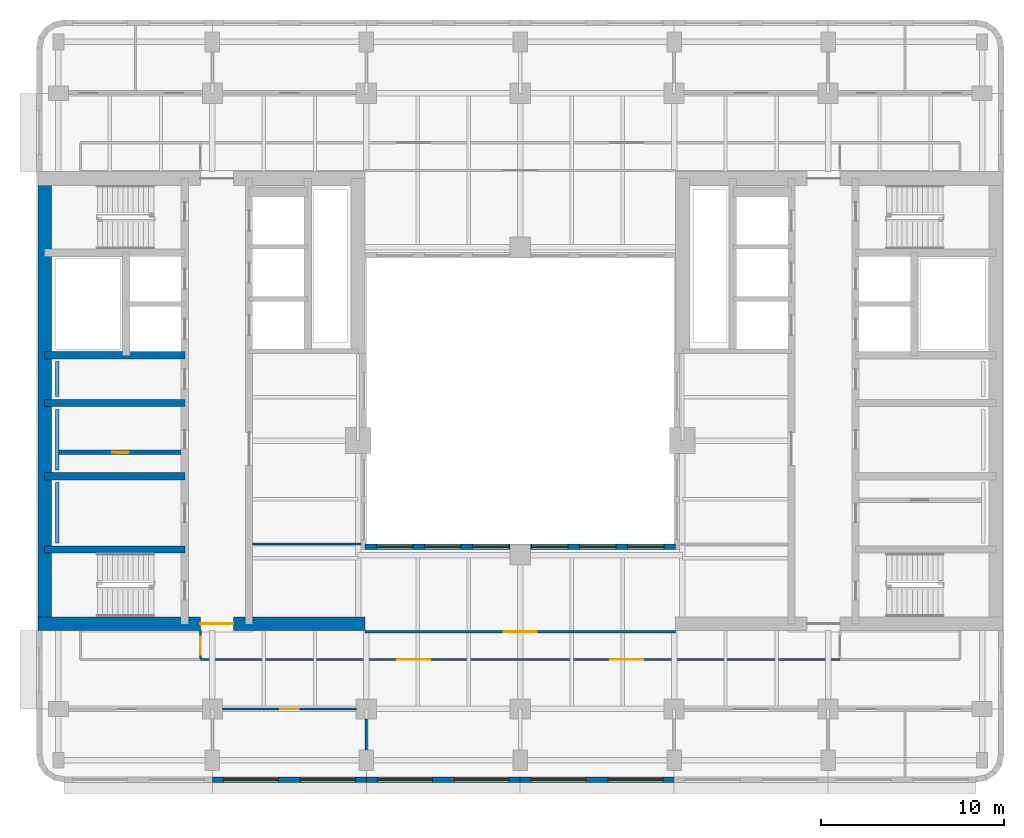
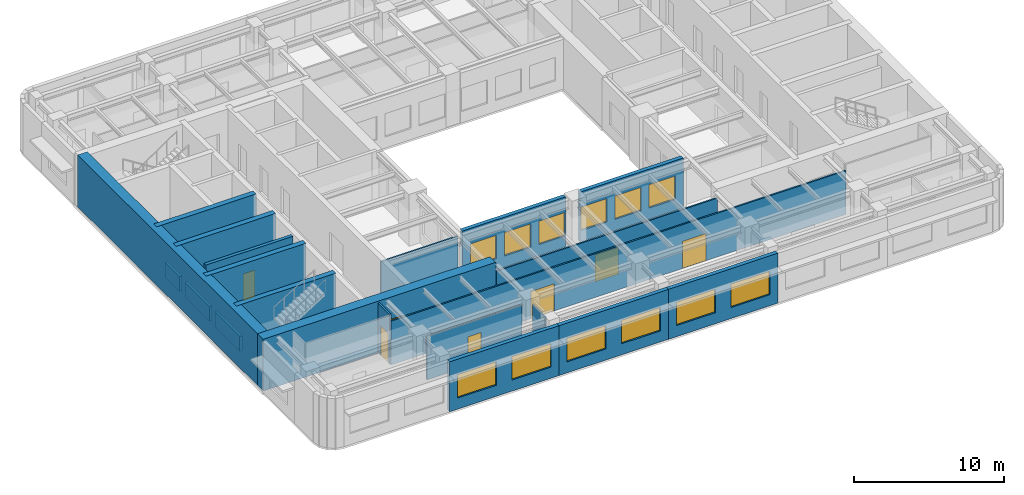
# One storey, part 3 of 11: 21 walls, 12 windows, 7 doors, 19 openings.
"""IFC4 building model written with IfcOpenShell, lengths in metres."""

import ifcopenshell
import ifcopenshell.guid

model = None  # the IFC model being written
_history = None  # IfcOwnerHistory: only IFC2X3 demands one
_inside = {}  # id of a spatial element -> (the spatial element, [elements in it])
_under = {}  # id of a project, library or spatial element -> (it, [spatial elements below it])
_declared = {}  # id of a project -> (the project, [libraries it declares])
_typed = {}  # id of a type object -> (the type object, [elements of that type])
_made_of = {}  # id of a material, layer set ... -> (it, [elements and type objects made of it])


def new_model(schema):
    """Start an empty IFC model of exactly this schema.

    Asked for "IFC4X3", IfcOpenShell would pick the latest addendum, in which some entities
    have other attributes; the version numbers below select the first issue.
    IFC2X3 requires an IfcOwnerHistory on every rooted entity: one is made here for all.
    """
    global model, _history
    if schema == "IFC4X3":
        model = ifcopenshell.file(schema_version=(4, 3, 0, 0))
    else:
        model = ifcopenshell.file(schema=schema)
    _inside.clear()
    _under.clear()
    _declared.clear()
    _typed.clear()
    _made_of.clear()
    _history = None
    if model.schema == "IFC2X3":
        org = make("IfcOrganization", Name="unknown")
        user = make(
            "IfcPersonAndOrganization",
            ThePerson=make("IfcPerson", FamilyName="unknown"),
            TheOrganization=org,
        )
        app = make(
            "IfcApplication",
            ApplicationDeveloper=org,
            Version="unknown",
            ApplicationFullName="unknown",
            ApplicationIdentifier="unknown",
        )
        _history = make(
            "IfcOwnerHistory",
            OwningUser=user,
            OwningApplication=app,
            ChangeAction="ADDED",
            CreationDate=0,
        )
    return model


def make(cls, **values):
    """One entity of the class cls with the attributes given. An attribute that is None is left unset."""
    return model.create_entity(
        cls, **{name: value for name, value in values.items() if value is not None}
    )


def rooted(cls, **values):
    """An entity with a GlobalId (a new one), such as an element, a storey or a relation."""
    return make(cls, GlobalId=ifcopenshell.guid.new(), OwnerHistory=_history, **values)


def si_unit(unit_type, name, prefix=None):
    """IfcSIUnit, for example si_unit("LENGTHUNIT", "METRE", prefix="MILLI")."""
    return make("IfcSIUnit", UnitType=unit_type, Prefix=prefix, Name=name)


def assignment(units):
    """IfcUnitAssignment: the units of a project."""
    return None if units is None else make("IfcUnitAssignment", Units=units)


def point(xyz):
    """IfcCartesianPoint."""
    return None if xyz is None else make("IfcCartesianPoint", Coordinates=xyz)


def direction(xyz):
    """IfcDirection."""
    return None if xyz is None else make("IfcDirection", DirectionRatios=xyz)


def frame(location, z_axis=None, x_axis=None):
    """IfcAxis2Placement3D, a coordinate frame: its origin and axes. An axis left out is left unset."""
    return make(
        "IfcAxis2Placement3D",
        Location=point(location),
        Axis=direction(z_axis),
        RefDirection=direction(x_axis),
    )


def frame_2d(location, x_axis=None):
    """IfcAxis2Placement2D, a coordinate frame in the plane: its origin and x axis."""
    return make(
        "IfcAxis2Placement2D", Location=point(location), RefDirection=direction(x_axis)
    )


def origin():
    """The frame at (0, 0, 0) with its axes left unset."""
    return frame((0.0, 0.0, 0.0))


def place(relative_to, where):
    """IfcLocalPlacement: puts the frame where relative to a parent placement (None: the world)."""
    return make(
        "IfcLocalPlacement", PlacementRelTo=relative_to, RelativePlacement=where
    )


def context(
    kind, dimensions, precision=None, world=None, true_north=None, identifier=None
):
    """IfcGeometricRepresentationContext, for example the 3D "Model" context."""
    return make(
        "IfcGeometricRepresentationContext",
        ContextIdentifier=identifier,
        ContextType=kind,
        CoordinateSpaceDimension=dimensions,
        Precision=precision,
        WorldCoordinateSystem=world,
        TrueNorth=true_north,
    )


def subcontext(parent, identifier, kind, view, scale=None):
    """IfcGeometricRepresentationSubContext, for example "Body" below "Model"."""
    return make(
        "IfcGeometricRepresentationSubContext",
        ContextIdentifier=identifier,
        ContextType=kind,
        ParentContext=parent,
        TargetScale=scale,
        TargetView=view,
    )


def project(units=None, contexts=None):
    """IfcProject with its units and contexts."""
    return rooted(
        "IfcProject",
        Name="project",
        RepresentationContexts=contexts,
        UnitsInContext=assignment(units),
    )


def spatial(cls, under=None, at=None, **own):
    """A site, building, storey or space (cls), placed at a placement, below another one or the project."""
    s = rooted(cls, ObjectPlacement=at, **own)
    if under is not None:
        _under.setdefault(under.id(), (under, []))[1].append(s)
    return s


def profile(cls, at=None, kind="AREA", **sizes):
    """A parametric profile (cls). Its sizes go by their IFC names, for example OverallWidth=200.0."""
    return make(cls, ProfileType=kind, Position=at, **sizes)


def rectangle(**sizes):
    """IfcRectangleProfileDef."""
    return profile("IfcRectangleProfileDef", **sizes)


def extrude(swept, where, along, depth):
    """IfcExtrudedAreaSolid: the profile swept, set in the frame where, extruded along a direction by depth."""
    return make(
        "IfcExtrudedAreaSolid",
        SweptArea=swept,
        Position=where,
        ExtrudedDirection=direction(along),
        Depth=depth,
    )


def shape(context_of_items, identifier, shape_type, items):
    """IfcShapeRepresentation: the items that make up one representation, for example the "Body"."""
    return make(
        "IfcShapeRepresentation",
        ContextOfItems=context_of_items,
        RepresentationIdentifier=identifier,
        RepresentationType=shape_type,
        Items=items,
    )


def material(Name=None, Category=None):
    """IfcMaterial."""
    return make("IfcMaterial", Name=Name, Category=Category)


def layer(
    of_material, thickness, ventilated=None, Name=None, Category=None, Priority=None
):
    """IfcMaterialLayer: one layer of a wall or slab, of a material (None: an air gap)."""
    return make(
        "IfcMaterialLayer",
        Material=of_material,
        LayerThickness=thickness,
        IsVentilated=ventilated,
        Name=Name,
        Category=Category,
        Priority=Priority,
    )


def layer_set(layers, Name=None):
    """IfcMaterialLayerSet."""
    return make("IfcMaterialLayerSet", MaterialLayers=layers, LayerSetName=Name)


def made_of(thing, what):
    """Note that an element or type object is made of a material, layer set ...; save() writes the relation."""
    if what is not None:
        _made_of.setdefault(what.id(), (what, []))[1].append(thing)
    return thing


def type_object(cls, material=None, **own):
    """A type object (cls), such as IfcWallType, which elements share."""
    return made_of(rooted(cls, **own), material)


def element(
    cls,
    number,
    at=None,
    inside=None,
    cuts=None,
    type_object=None,
    material=None,
    context=None,
    identifier="Body",
    shape_type=None,
    held_by="IfcProductDefinitionShape",
    body=None,
    shapes=None,
    **own,
):
    """One element of the class cls, such as IfcWall. Its Tag is "e" and its number.

    at: its placement. inside: the storey or other place that contains it. cuts: it is an
    opening in that element (IfcRelVoidsElement). A single representation is given by context,
    identifier, shape_type and body (its items); several are given by shapes. held_by: the class
    of the entity that holds the representations. save() writes the other relations.
    """
    e = rooted(cls, Tag="e%d" % number, ObjectPlacement=at, **own)
    if body is not None:
        shapes = [shape(context, identifier, shape_type, body)]
    if shapes is not None:
        e.Representation = make(held_by, Representations=shapes)
    if inside is not None:
        _inside.setdefault(inside.id(), (inside, []))[1].append(e)
    if cuts is not None:
        rooted(
            "IfcRelVoidsElement", RelatingBuildingElement=cuts, RelatedOpeningElement=e
        )
    if type_object is not None:
        _typed.setdefault(type_object.id(), (type_object, []))[1].append(e)
    return made_of(e, material)


def fill(opening, filler):
    """IfcRelFillsElement: the door or window that sits in an opening."""
    return rooted(
        "IfcRelFillsElement",
        RelatingOpeningElement=opening,
        RelatedBuildingElement=filler,
    )


def aggregate(whole, parts):
    """IfcRelAggregates: a whole, such as a stair, and the parts it consists of."""
    return rooted("IfcRelAggregates", RelatingObject=whole, RelatedObjects=parts)


def save(model, path):
    """Write the relations noted so far, then the file.

    IfcRelAggregates (storeys below a building ...), IfcRelContainedInSpatialStructure (elements
    in a storey), IfcRelDefinesByType, IfcRelAssociatesMaterial and IfcRelDeclares: one each for
    every whole, place, type object, material and project.
    """
    for whole, parts in _under.values():
        aggregate(whole, parts)
    for where, things in _inside.values():
        rooted(
            "IfcRelContainedInSpatialStructure",
            RelatedElements=things,
            RelatingStructure=where,
        )
    for kind, things in _typed.values():
        rooted("IfcRelDefinesByType", RelatedObjects=things, RelatingType=kind)
    for what, things in _made_of.values():
        rooted("IfcRelAssociatesMaterial", RelatedObjects=things, RelatingMaterial=what)
    for by, libraries in _declared.values():
        rooted("IfcRelDeclares", RelatingContext=by, RelatedDefinitions=libraries)
    model.write(path)


model = new_model("IFC4")

# Units and contexts
model_context = context("Model", 3, precision=1e-05, world=origin(), true_north=direction((0.0, 1.0)))
body_context = subcontext(model_context, "Body", "Model", "MODEL_VIEW")
ifc_project = project(units=[si_unit("LENGTHUNIT", "METRE"), si_unit("AREAUNIT", "SQUARE_METRE"), si_unit("VOLUMEUNIT", "CUBIC_METRE"), si_unit("PLANEANGLEUNIT", "RADIAN"), si_unit("MASSUNIT", "GRAM", prefix="KILO")], contexts=[model_context])

# Site, building, storey
site_placement = place(None, origin())
site = spatial("IfcSite", under=ifc_project, at=site_placement, CompositionType="ELEMENT")
building_placement = place(site_placement, origin())
building = spatial("IfcBuilding", under=site, at=building_placement, Name="Claustro Exchange Tower", CompositionType="ELEMENT")
storey_placement = place(building_placement, frame((0.0, 0.0, 181.800048828125)))
storey = spatial("IfcBuildingStorey", under=building, at=storey_placement, Name="L41", CompositionType="ELEMENT", Elevation=181.800048828125)

# Wall
ifc_material_1 = material(Name="Laminated glass in aluminium frame", Category="aluminium")
ifc_layer_1 = layer(ifc_material_1, 0.1201171875)
ifc_layer_set_1 = layer_set([ifc_layer_1], Name="Laminated glass in aluminium frame")
wall_type_1 = type_object("IfcWallType", Name="P2 120 glazed partition", PredefinedType="PARTITIONING", material=ifc_layer_set_1)
wall_1_placement = place(storey_placement, frame((10.597900390625, 17.39990234375, 0.0), z_axis=(0.0, 0.0, 1.0), x_axis=(1.0, 0.0, 0.0)))
element("IfcWall", 1, at=wall_1_placement, inside=storey, type_object=wall_type_1, Name="Partition P2 L41", PredefinedType="PARTITIONING", context=body_context, shape_type="SweptSolid", body=[
    extrude(rectangle(XDim=5.904052734375, YDim=0.1201171875, at=frame_2d((2.9521484375, 0.0))), origin(), (0.0, 0.0, 1.0), 3.550048828125),
])

# Wall, opening, door
wall_2_placement = place(storey_placement, frame((8.948974609375, 8.39990234375, 0.0), z_axis=(0.0, 0.0, 1.0), x_axis=(1.0, 0.0, 0.0)))
wall_2 = element("IfcWall", 2, at=wall_2_placement, inside=storey, type_object=wall_type_1, Name="Partition P2 L41", PredefinedType="PARTITIONING", context=body_context, shape_type="SweptSolid", body=[
    extrude(rectangle(XDim=7.302001953125, YDim=0.1201171875, at=frame_2d((3.65087890625, 0.0))), origin(), (0.0, 0.0, 1.0), 3.550048828125),
])
opening_1_placement = place(wall_2_placement, frame((3.15087890625, 0.0, 0.0)))
opening_1 = element("IfcOpeningElement", 3, at=opening_1_placement, cuts=wall_2, Name="Opening D7", PredefinedType="OPENING", context=body_context, shape_type="SweptSolid", body=[
    extrude(rectangle(XDim=1.0, YDim=2.39990234375, at=frame_2d((0.5, 1.199951171875))), frame((0.0, 0.070068359375, 0.0), z_axis=(0.0, -1.0, 0.0), x_axis=(1.0, 0.0, 0.0)), (0.0, 0.0, 1.0), 0.14013671875),
])
ifc_material_2 = material(Name="Glass door in aluminium frame", Category="aluminium")
door_type_1 = type_object("IfcDoorType", Name="D7 1000 x 2400 glazed door", OperationType="SINGLE_SWING_LEFT", PredefinedType="DOOR", material=ifc_material_2)
door_1_placement = place(opening_1_placement, frame((1.0, 0.0, 0.0), z_axis=(0.0, 0.0, 1.0), x_axis=(-1.0, 0.0, 0.0)))
door_1 = element("IfcDoor", 4, at=door_1_placement, inside=storey, type_object=door_type_1, Name="Door D7 L41", OperationType="SINGLE_SWING_RIGHT", OverallHeight=2.39990234375, OverallWidth=1.0, PredefinedType="DOOR", context=body_context, shape_type="SweptSolid", body=[
    extrude(rectangle(XDim=1.0, YDim=2.39990234375, at=frame_2d((0.5, 1.199951171875))), frame((0.0, 0.02490234375, 0.0), z_axis=(0.0, -1.0, 0.0), x_axis=(1.0, 0.0, 0.0)), (0.0, 0.0, 1.0), 0.050048828125),
])
fill(opening_1, door_1)

# Wall
wall_3_placement = place(storey_placement, frame((16.800048828125, 6.14892578125, 0.0), z_axis=(0.0, 0.0, 1.0), x_axis=(0.0, 1.0, 0.0)))
element("IfcWall", 5, at=wall_3_placement, inside=storey, type_object=wall_type_1, Name="Partition P2 L41", PredefinedType="PARTITIONING", context=body_context, shape_type="SweptSolid", body=[
    extrude(rectangle(XDim=1.7021484375, YDim=0.1201171875, at=frame_2d((0.85107421875, 0.0))), origin(), (0.0, 0.0, 1.0), 3.68994140625),
])

# Wall, openings, doors
wall_4_placement = place(storey_placement, frame((7.748046875, 11.10009765625, 0.0), z_axis=(0.0, 0.0, 1.0), x_axis=(1.0, 0.0, 0.0)))
wall_4 = element("IfcWall", 6, at=wall_4_placement, inside=storey, type_object=wall_type_1, Name="Partition P2 L41", PredefinedType="PARTITIONING", context=body_context, shape_type="SweptSolid", body=[
    extrude(rectangle(XDim=34.904052734375, YDim=0.1201171875, at=frame_2d((17.4521484375, 0.0))), origin(), (0.0, 0.0, 1.0), 3.550048828125),
])
opening_2_placement = place(wall_4_placement, frame((10.7353515625, 0.0, 0.0)))
opening_2 = element("IfcOpeningElement", 7, at=opening_2_placement, cuts=wall_4, Name="Opening D2", PredefinedType="OPENING", context=body_context, shape_type="SweptSolid", body=[
    extrude(rectangle(XDim=1.800048828125, YDim=2.199951171875, at=frame_2d((0.89990234375, 1.10009765625))), frame((0.0, 0.070068359375, 0.0), z_axis=(0.0, -1.0, 0.0), x_axis=(1.0, 0.0, 0.0)), (0.0, 0.0, 1.0), 0.14013671875),
])
opening_3_placement = place(wall_4_placement, frame((22.36865234375, 0.0, 0.0)))
opening_3 = element("IfcOpeningElement", 8, at=opening_3_placement, cuts=wall_4, Name="Opening D2", PredefinedType="OPENING", context=body_context, shape_type="SweptSolid", body=[
    extrude(rectangle(XDim=1.800048828125, YDim=2.199951171875, at=frame_2d((0.89990234375, 1.10009765625))), frame((0.0, 0.070068359375, 0.0), z_axis=(0.0, -1.0, 0.0), x_axis=(1.0, 0.0, 0.0)), (0.0, 0.0, 1.0), 0.14013671875),
])
ifc_material_3 = material(Name="Timber door, oak veneer", Category="wood")
door_type_2 = type_object("IfcDoorType", Name="D2 1800 x 2200 double door", OperationType="DOUBLE_DOOR_SINGLE_SWING", PredefinedType="DOOR", material=ifc_material_3)
door_2_placement = place(opening_2_placement, frame((1.800048828125, 0.0, 0.0), z_axis=(0.0, 0.0, 1.0), x_axis=(-1.0, 0.0, 0.0)))
door_2 = element("IfcDoor", 9, at=door_2_placement, inside=storey, type_object=door_type_2, Name="Double door D2 L41", OperationType="DOUBLE_DOOR_SINGLE_SWING", OverallHeight=2.199951171875, OverallWidth=1.800048828125, PredefinedType="DOOR", context=body_context, shape_type="SweptSolid", body=[
    extrude(rectangle(XDim=1.800048828125, YDim=2.199951171875, at=frame_2d((0.89990234375, 1.10009765625))), frame((0.0, 0.02490234375, 0.0), z_axis=(0.0, -1.0, 0.0), x_axis=(1.0, 0.0, 0.0)), (0.0, 0.0, 1.0), 0.050048828125),
])
fill(opening_2, door_2)
door_3_placement = place(opening_3_placement, frame((1.800048828125, 0.0, 0.0), z_axis=(0.0, 0.0, 1.0), x_axis=(-1.0, 0.0, 0.0)))
door_3 = element("IfcDoor", 10, at=door_3_placement, inside=storey, type_object=door_type_2, Name="Double door D2 L41", OperationType="DOUBLE_DOOR_SINGLE_SWING", OverallHeight=2.199951171875, OverallWidth=1.800048828125, PredefinedType="DOOR", context=body_context, shape_type="SweptSolid", body=[
    extrude(rectangle(XDim=1.800048828125, YDim=2.199951171875, at=frame_2d((0.89990234375, 1.10009765625))), frame((0.0, 0.02490234375, 0.0), z_axis=(0.0, -1.0, 0.0), x_axis=(1.0, 0.0, 0.0)), (0.0, 0.0, 1.0), 0.050048828125),
])
fill(opening_3, door_3)

# Wall, opening, door
wall_5_placement = place(storey_placement, frame((7.75, 11.157958984375, 0.0), z_axis=(0.0, 0.0, 1.0), x_axis=(0.0, 1.0, 0.0)))
wall_5 = element("IfcWall", 11, at=wall_5_placement, inside=storey, type_object=wall_type_1, Name="Partition P2 L41", PredefinedType="PARTITIONING", context=body_context, shape_type="SweptSolid", body=[
    extrude(rectangle(XDim=1.51806640625, YDim=0.1201171875, at=frame_2d((0.759033203125, 0.0))), origin(), (0.0, 0.0, 1.0), 4.050048828125),
])
opening_4_placement = place(wall_5_placement, frame((0.19189453125, 0.0, 0.0)))
opening_4 = element("IfcOpeningElement", 12, at=opening_4_placement, cuts=wall_5, Name="Opening D7", PredefinedType="OPENING", context=body_context, shape_type="SweptSolid", body=[
    extrude(rectangle(XDim=1.0, YDim=2.39990234375, at=frame_2d((0.5, 1.199951171875))), frame((0.0, 0.070068359375, 0.0), z_axis=(0.0, -1.0, 0.0), x_axis=(1.0, 0.0, 0.0)), (0.0, 0.0, 1.0), 0.14013671875),
])
door_4_placement = place(opening_4_placement, origin())
door_4 = element("IfcDoor", 13, at=door_4_placement, inside=storey, type_object=door_type_1, Name="Door D7 L41", OperationType="SINGLE_SWING_LEFT", OverallHeight=2.39990234375, OverallWidth=1.0, PredefinedType="DOOR", context=body_context, shape_type="SweptSolid", body=[
    extrude(rectangle(XDim=1.0, YDim=2.39990234375, at=frame_2d((0.5, 1.199951171875))), frame((0.0, 0.02490234375, 0.0), z_axis=(0.0, -1.0, 0.0), x_axis=(1.0, 0.0, 0.0)), (0.0, 0.0, 1.0), 0.050048828125),
])
fill(opening_4, door_4)

wall_6_placement = place(storey_placement, frame((16.72509765625, 12.614990234375, 0.0), z_axis=(0.0, 0.0, 1.0), x_axis=(1.0, 0.0, 0.0)))
wall_6 = element("IfcWall", 14, at=wall_6_placement, inside=storey, type_object=wall_type_1, Name="Partition P2 L41", PredefinedType="PARTITIONING", context=body_context, shape_type="SweptSolid", body=[
    extrude(rectangle(XDim=16.949951171875, YDim=0.1201171875, at=frame_2d((8.47509765625, 0.0))), origin(), (0.0, 0.0, 1.0), 3.550048828125),
])
opening_5_placement = place(wall_6_placement, frame((7.574951171875, 0.0, 0.0)))
opening_5 = element("IfcOpeningElement", 15, at=opening_5_placement, cuts=wall_6, Name="Opening D2", PredefinedType="OPENING", context=body_context, shape_type="SweptSolid", body=[
    extrude(rectangle(XDim=1.800048828125, YDim=2.199951171875, at=frame_2d((0.89990234375, 1.10009765625))), frame((0.0, 0.070068359375, 0.0), z_axis=(0.0, -1.0, 0.0), x_axis=(1.0, 0.0, 0.0)), (0.0, 0.0, 1.0), 0.14013671875),
])
door_5_placement = place(opening_5_placement, frame((1.800048828125, 0.0, 0.0), z_axis=(0.0, 0.0, 1.0), x_axis=(-1.0, 0.0, 0.0)))
door_5 = element("IfcDoor", 16, at=door_5_placement, inside=storey, type_object=door_type_2, Name="Double door D2 L41", OperationType="DOUBLE_DOOR_SINGLE_SWING", OverallHeight=2.199951171875, OverallWidth=1.800048828125, PredefinedType="DOOR", context=body_context, shape_type="SweptSolid", body=[
    extrude(rectangle(XDim=1.800048828125, YDim=2.199951171875, at=frame_2d((0.89990234375, 1.10009765625))), frame((0.0, 0.02490234375, 0.0), z_axis=(0.0, -1.0, 0.0), x_axis=(1.0, 0.0, 0.0)), (0.0, 0.0, 1.0), 0.050048828125),
])
fill(opening_5, door_5)

ifc_material_4 = material(Name="Concrete blockwork, rendered", Category="masonry")
ifc_layer_2 = layer(ifc_material_4, 0.25)
ifc_layer_set_2 = layer_set([ifc_layer_2], Name="Concrete blockwork, rendered")
wall_type_2 = type_object("IfcWallType", Name="P4 250 blockwork wall", PredefinedType="PARTITIONING", material=ifc_layer_set_2)
wall_7_placement = place(storey_placement, frame((0.02490234375, 22.39990234375, 0.0), z_axis=(0.0, 0.0, 1.0), x_axis=(1.0, 0.0, 0.0)))
wall_7 = element("IfcWall", 17, at=wall_7_placement, inside=storey, type_object=wall_type_2, Name="Partition P4 L41", PredefinedType="PARTITIONING", context=body_context, shape_type="SweptSolid", body=[
    extrude(rectangle(XDim=6.675048828125, YDim=0.25, at=frame_2d((3.33740234375, 0.0))), origin(), (0.0, 0.0, 1.0), 4.0),
])
opening_6_placement = place(wall_7_placement, frame((2.91259765625, 0.0, 0.0)))
opening_6 = element("IfcOpeningElement", 18, at=opening_6_placement, cuts=wall_7, Name="Opening D5", PredefinedType="OPENING", context=body_context, shape_type="SweptSolid", body=[
    extrude(rectangle(XDim=0.89990234375, YDim=2.199951171875, at=frame_2d((0.449951171875, 1.10009765625))), frame((0.0, 0.135009765625, 0.0), z_axis=(0.0, -1.0, 0.0), x_axis=(1.0, 0.0, 0.0)), (0.0, 0.0, 1.0), 0.27001953125),
])
ifc_material_5 = material(Name="Steel door, painted", Category="steel")
door_type_3 = type_object("IfcDoorType", Name="D5 900 x 2200 store door", OperationType="SINGLE_SWING_LEFT", PredefinedType="DOOR", material=ifc_material_5)
door_6_placement = place(opening_6_placement, frame((0.89990234375, 0.0, 0.0), z_axis=(0.0, 0.0, 1.0), x_axis=(-1.0, 0.0, 0.0)))
door_6 = element("IfcDoor", 19, at=door_6_placement, inside=storey, type_object=door_type_3, Name="Store door D5 L41", OperationType="SINGLE_SWING_LEFT", OverallHeight=2.199951171875, OverallWidth=0.89990234375, PredefinedType="DOOR", context=body_context, shape_type="SweptSolid", body=[
    extrude(rectangle(XDim=0.89990234375, YDim=2.199951171875, at=frame_2d((0.449951171875, 1.10009765625))), frame((0.0, 0.02490234375, 0.0), z_axis=(0.0, -1.0, 0.0), x_axis=(1.0, 0.0, 0.0)), (0.0, 0.0, 1.0), 0.050048828125),
])
fill(opening_6, door_6)

# Wall, openings, windows
ifc_material_6 = material(Name="Concrete HA-40 (C40/50), precast, white cement, acid-etched", Category="concrete")
ifc_layer_3 = layer(ifc_material_6, 0.300048828125)
ifc_layer_set_3 = layer_set([ifc_layer_3], Name="Concrete HA-40 (C40/50), precast, white cement, acid-etched")
wall_type_3 = type_object("IfcWallType", Name="PC1 300 precast concrete pier panel", PredefinedType="SOLIDWALL", material=ifc_layer_set_3)
wall_8_placement = place(storey_placement, frame((33.60009765625, 4.550048828125, 0.0), z_axis=(0.0, 0.0, 1.0), x_axis=(-1.0, 0.0, 0.0)))
wall_8 = element("IfcWall", 20, at=wall_8_placement, inside=storey, type_object=wall_type_3, Name="Precast pier panel PC1 L41", PredefinedType="SOLIDWALL", context=body_context, shape_type="SweptSolid", body=[
    extrude(rectangle(XDim=8.400146484375, YDim=0.300048828125, at=frame_2d((4.2001953125, 0.0))), origin(), (0.0, 0.0, 1.0), 4.050048828125),
])
opening_7_placement = place(wall_8_placement, frame((0.60009765625, 0.0, 0.89990234375)))
opening_7 = element("IfcOpeningElement", 21, at=opening_7_placement, cuts=wall_8, Name="Opening W1", PredefinedType="OPENING", context=body_context, shape_type="SweptSolid", body=[
    extrude(rectangle(XDim=3.0, YDim=1.89990234375, at=frame_2d((1.5, 0.949951171875))), frame((0.0, 0.159912109375, 0.0), z_axis=(0.0, -1.0, 0.0), x_axis=(1.0, 0.0, 0.0)), (0.0, 0.0, 1.0), 0.320068359375),
])
opening_8_placement = place(wall_8_placement, frame((4.800048828125, 0.0, 0.89990234375)))
opening_8 = element("IfcOpeningElement", 22, at=opening_8_placement, cuts=wall_8, Name="Opening W1", PredefinedType="OPENING", context=body_context, shape_type="SweptSolid", body=[
    extrude(rectangle(XDim=3.0, YDim=1.89990234375, at=frame_2d((1.5, 0.949951171875))), frame((0.0, 0.159912109375, 0.0), z_axis=(0.0, -1.0, 0.0), x_axis=(1.0, 0.0, 0.0)), (0.0, 0.0, 1.0), 0.320068359375),
])
ifc_material_7 = material(Name="Aluminium frame, clear double glazing", Category="aluminium")
window_type_1 = type_object("IfcWindowType", Name="W1 3000 x 1900 window", PartitioningType="SINGLE_PANEL", PredefinedType="WINDOW", material=ifc_material_7)
window_1_placement = place(opening_7_placement, origin())
window_1 = element("IfcWindow", 23, at=window_1_placement, inside=storey, type_object=window_type_1, Name="Window W1 L41", OverallHeight=1.89990234375, OverallWidth=3.0, PartitioningType="SINGLE_PANEL", PredefinedType="WINDOW", context=body_context, shape_type="SweptSolid", body=[
    extrude(rectangle(XDim=3.0, YDim=1.89990234375, at=frame_2d((1.5, 0.949951171875))), frame((0.0, 0.030029296875, 0.0), z_axis=(0.0, -1.0, 0.0), x_axis=(1.0, 0.0, 0.0)), (0.0, 0.0, 1.0), 0.06005859375),
])
fill(opening_7, window_1)
window_2_placement = place(opening_8_placement, origin())
window_2 = element("IfcWindow", 24, at=window_2_placement, inside=storey, type_object=window_type_1, Name="Window W1 L41", OverallHeight=1.89990234375, OverallWidth=3.0, PartitioningType="SINGLE_PANEL", PredefinedType="WINDOW", context=body_context, shape_type="SweptSolid", body=[
    extrude(rectangle(XDim=3.0, YDim=1.89990234375, at=frame_2d((1.5, 0.949951171875))), frame((0.0, 0.030029296875, 0.0), z_axis=(0.0, -1.0, 0.0), x_axis=(1.0, 0.0, 0.0)), (0.0, 0.0, 1.0), 0.06005859375),
])
fill(opening_8, window_2)

wall_9_placement = place(storey_placement, frame((25.199951171875, 4.550048828125, 0.0), z_axis=(0.0, 0.0, 1.0), x_axis=(-1.0, 0.0, 0.0)))
wall_9 = element("IfcWall", 25, at=wall_9_placement, inside=storey, type_object=wall_type_3, Name="Precast pier panel PC1 L41", PredefinedType="SOLIDWALL", context=body_context, shape_type="SweptSolid", body=[
    extrude(rectangle(XDim=8.39990234375, YDim=0.300048828125, at=frame_2d((4.199951171875, 0.0))), origin(), (0.0, 0.0, 1.0), 4.050048828125),
])
opening_9_placement = place(wall_9_placement, frame((0.60009765625, 0.0, 0.89990234375)))
opening_9 = element("IfcOpeningElement", 26, at=opening_9_placement, cuts=wall_9, Name="Opening W1", PredefinedType="OPENING", context=body_context, shape_type="SweptSolid", body=[
    extrude(rectangle(XDim=3.0, YDim=1.89990234375, at=frame_2d((1.5, 0.949951171875))), frame((0.0, 0.159912109375, 0.0), z_axis=(0.0, -1.0, 0.0), x_axis=(1.0, 0.0, 0.0)), (0.0, 0.0, 1.0), 0.320068359375),
])
opening_10_placement = place(wall_9_placement, frame((4.800048828125, 0.0, 0.89990234375)))
opening_10 = element("IfcOpeningElement", 27, at=opening_10_placement, cuts=wall_9, Name="Opening W1", PredefinedType="OPENING", context=body_context, shape_type="SweptSolid", body=[
    extrude(rectangle(XDim=3.0, YDim=1.89990234375, at=frame_2d((1.5, 0.949951171875))), frame((0.0, 0.159912109375, 0.0), z_axis=(0.0, -1.0, 0.0), x_axis=(1.0, 0.0, 0.0)), (0.0, 0.0, 1.0), 0.320068359375),
])
window_3_placement = place(opening_9_placement, origin())
window_3 = element("IfcWindow", 28, at=window_3_placement, inside=storey, type_object=window_type_1, Name="Window W1 L41", OverallHeight=1.89990234375, OverallWidth=3.0, PartitioningType="SINGLE_PANEL", PredefinedType="WINDOW", context=body_context, shape_type="SweptSolid", body=[
    extrude(rectangle(XDim=3.0, YDim=1.89990234375, at=frame_2d((1.5, 0.949951171875))), frame((0.0, 0.030029296875, 0.0), z_axis=(0.0, -1.0, 0.0), x_axis=(1.0, 0.0, 0.0)), (0.0, 0.0, 1.0), 0.06005859375),
])
fill(opening_9, window_3)
window_4_placement = place(opening_10_placement, origin())
window_4 = element("IfcWindow", 29, at=window_4_placement, inside=storey, type_object=window_type_1, Name="Window W1 L41", OverallHeight=1.89990234375, OverallWidth=3.0, PartitioningType="SINGLE_PANEL", PredefinedType="WINDOW", context=body_context, shape_type="SweptSolid", body=[
    extrude(rectangle(XDim=3.0, YDim=1.89990234375, at=frame_2d((1.5, 0.949951171875))), frame((0.0, 0.030029296875, 0.0), z_axis=(0.0, -1.0, 0.0), x_axis=(1.0, 0.0, 0.0)), (0.0, 0.0, 1.0), 0.06005859375),
])
fill(opening_10, window_4)

wall_10_placement = place(storey_placement, frame((16.800048828125, 4.550048828125, 0.0), z_axis=(0.0, 0.0, 1.0), x_axis=(-1.0, 0.0, 0.0)))
wall_10 = element("IfcWall", 30, at=wall_10_placement, inside=storey, type_object=wall_type_3, Name="Precast pier panel PC1 L41", PredefinedType="SOLIDWALL", context=body_context, shape_type="SweptSolid", body=[
    extrude(rectangle(XDim=8.400146484375, YDim=0.300048828125, at=frame_2d((4.2001953125, 0.0))), origin(), (0.0, 0.0, 1.0), 4.050048828125),
])
opening_11_placement = place(wall_10_placement, frame((0.60009765625, 0.0, 0.89990234375)))
opening_11 = element("IfcOpeningElement", 31, at=opening_11_placement, cuts=wall_10, Name="Opening W1", PredefinedType="OPENING", context=body_context, shape_type="SweptSolid", body=[
    extrude(rectangle(XDim=3.0, YDim=1.89990234375, at=frame_2d((1.5, 0.949951171875))), frame((0.0, 0.159912109375, 0.0), z_axis=(0.0, -1.0, 0.0), x_axis=(1.0, 0.0, 0.0)), (0.0, 0.0, 1.0), 0.320068359375),
])
opening_12_placement = place(wall_10_placement, frame((4.800048828125, 0.0, 0.89990234375)))
opening_12 = element("IfcOpeningElement", 32, at=opening_12_placement, cuts=wall_10, Name="Opening W1", PredefinedType="OPENING", context=body_context, shape_type="SweptSolid", body=[
    extrude(rectangle(XDim=3.0, YDim=1.89990234375, at=frame_2d((1.5, 0.949951171875))), frame((0.0, 0.159912109375, 0.0), z_axis=(0.0, -1.0, 0.0), x_axis=(1.0, 0.0, 0.0)), (0.0, 0.0, 1.0), 0.320068359375),
])
window_5_placement = place(opening_11_placement, origin())
window_5 = element("IfcWindow", 33, at=window_5_placement, inside=storey, type_object=window_type_1, Name="Window W1 L41", OverallHeight=1.89990234375, OverallWidth=3.0, PartitioningType="SINGLE_PANEL", PredefinedType="WINDOW", context=body_context, shape_type="SweptSolid", body=[
    extrude(rectangle(XDim=3.0, YDim=1.89990234375, at=frame_2d((1.5, 0.949951171875))), frame((0.0, 0.030029296875, 0.0), z_axis=(0.0, -1.0, 0.0), x_axis=(1.0, 0.0, 0.0)), (0.0, 0.0, 1.0), 0.06005859375),
])
fill(opening_11, window_5)
window_6_placement = place(opening_12_placement, origin())
window_6 = element("IfcWindow", 34, at=window_6_placement, inside=storey, type_object=window_type_1, Name="Window W1 L41", OverallHeight=1.89990234375, OverallWidth=3.0, PartitioningType="SINGLE_PANEL", PredefinedType="WINDOW", context=body_context, shape_type="SweptSolid", body=[
    extrude(rectangle(XDim=3.0, YDim=1.89990234375, at=frame_2d((1.5, 0.949951171875))), frame((0.0, 0.030029296875, 0.0), z_axis=(0.0, -1.0, 0.0), x_axis=(1.0, 0.0, 0.0)), (0.0, 0.0, 1.0), 0.06005859375),
])
fill(opening_12, window_6)

wall_11_placement = place(storey_placement, frame((16.72509765625, 17.25, 0.0), z_axis=(0.0, 0.0, 1.0), x_axis=(1.0, 0.0, 0.0)))
wall_11 = element("IfcWall", 35, at=wall_11_placement, inside=storey, type_object=wall_type_3, Name="Precast pier panel PC1 L41", PredefinedType="SOLIDWALL", context=body_context, shape_type="SweptSolid", body=[
    extrude(rectangle(XDim=7.9248046875, YDim=0.300048828125, at=frame_2d((3.96240234375, 0.0))), origin(), (0.0, 0.0, 1.0), 4.050048828125),
])
opening_13_placement = place(wall_11_placement, frame((0.61865234375, 0.0, 0.89990234375)))
opening_13 = element("IfcOpeningElement", 36, at=opening_13_placement, cuts=wall_11, Name="Opening W4", PredefinedType="OPENING", context=body_context, shape_type="SweptSolid", body=[
    extrude(rectangle(XDim=2.0, YDim=1.89990234375, at=frame_2d((1.0, 0.949951171875))), frame((0.0, 0.159912109375, 0.0), z_axis=(0.0, -1.0, 0.0), x_axis=(1.0, 0.0, 0.0)), (0.0, 0.0, 1.0), 0.320068359375),
])
opening_14_placement = place(wall_11_placement, frame((3.237548828125, 0.0, 0.89990234375)))
opening_14 = element("IfcOpeningElement", 37, at=opening_14_placement, cuts=wall_11, Name="Opening W4", PredefinedType="OPENING", context=body_context, shape_type="SweptSolid", body=[
    extrude(rectangle(XDim=2.0, YDim=1.89990234375, at=frame_2d((1.0, 0.949951171875))), frame((0.0, 0.159912109375, 0.0), z_axis=(0.0, -1.0, 0.0), x_axis=(1.0, 0.0, 0.0)), (0.0, 0.0, 1.0), 0.320068359375),
])
opening_15_placement = place(wall_11_placement, frame((5.856201171875, 0.0, 0.89990234375)))
opening_15 = element("IfcOpeningElement", 38, at=opening_15_placement, cuts=wall_11, Name="Opening W4", PredefinedType="OPENING", context=body_context, shape_type="SweptSolid", body=[
    extrude(rectangle(XDim=2.0, YDim=1.89990234375, at=frame_2d((1.0, 0.949951171875))), frame((0.0, 0.159912109375, 0.0), z_axis=(0.0, -1.0, 0.0), x_axis=(1.0, 0.0, 0.0)), (0.0, 0.0, 1.0), 0.320068359375),
])
ifc_material_8 = material(Name="Aluminium frame, clear double glazing", Category="aluminium")
window_type_2 = type_object("IfcWindowType", Name="W4 2000 x 1900 light well window", PartitioningType="SINGLE_PANEL", PredefinedType="WINDOW", material=ifc_material_8)
window_7_placement = place(opening_13_placement, origin())
window_7 = element("IfcWindow", 39, at=window_7_placement, inside=storey, type_object=window_type_2, Name="Window W4 L41", OverallHeight=1.89990234375, OverallWidth=2.0, PartitioningType="SINGLE_PANEL", PredefinedType="WINDOW", context=body_context, shape_type="SweptSolid", body=[
    extrude(rectangle(XDim=2.0, YDim=1.89990234375, at=frame_2d((1.0, 0.949951171875))), frame((0.0, 0.030029296875, 0.0), z_axis=(0.0, -1.0, 0.0), x_axis=(1.0, 0.0, 0.0)), (0.0, 0.0, 1.0), 0.06005859375),
])
fill(opening_13, window_7)
window_8_placement = place(opening_14_placement, origin())
window_8 = element("IfcWindow", 40, at=window_8_placement, inside=storey, type_object=window_type_2, Name="Window W4 L41", OverallHeight=1.89990234375, OverallWidth=2.0, PartitioningType="SINGLE_PANEL", PredefinedType="WINDOW", context=body_context, shape_type="SweptSolid", body=[
    extrude(rectangle(XDim=2.0, YDim=1.89990234375, at=frame_2d((1.0, 0.949951171875))), frame((0.0, 0.030029296875, 0.0), z_axis=(0.0, -1.0, 0.0), x_axis=(1.0, 0.0, 0.0)), (0.0, 0.0, 1.0), 0.06005859375),
])
fill(opening_14, window_8)
window_9_placement = place(opening_15_placement, origin())
window_9 = element("IfcWindow", 41, at=window_9_placement, inside=storey, type_object=window_type_2, Name="Window W4 L41", OverallHeight=1.89990234375, OverallWidth=2.0, PartitioningType="SINGLE_PANEL", PredefinedType="WINDOW", context=body_context, shape_type="SweptSolid", body=[
    extrude(rectangle(XDim=2.0, YDim=1.89990234375, at=frame_2d((1.0, 0.949951171875))), frame((0.0, 0.030029296875, 0.0), z_axis=(0.0, -1.0, 0.0), x_axis=(1.0, 0.0, 0.0)), (0.0, 0.0, 1.0), 0.06005859375),
])
fill(opening_15, window_9)

wall_12_placement = place(storey_placement, frame((25.75, 17.25, 0.0), z_axis=(0.0, 0.0, 1.0), x_axis=(1.0, 0.0, 0.0)))
wall_12 = element("IfcWall", 42, at=wall_12_placement, inside=storey, type_object=wall_type_3, Name="Precast pier panel PC1 L41", PredefinedType="SOLIDWALL", context=body_context, shape_type="SweptSolid", body=[
    extrude(rectangle(XDim=7.925048828125, YDim=0.300048828125, at=frame_2d((3.96240234375, 0.0))), origin(), (0.0, 0.0, 1.0), 4.050048828125),
])
opening_16_placement = place(wall_12_placement, frame((0.068603515625, 0.0, 0.89990234375)))
opening_16 = element("IfcOpeningElement", 43, at=opening_16_placement, cuts=wall_12, Name="Opening W4", PredefinedType="OPENING", context=body_context, shape_type="SweptSolid", body=[
    extrude(rectangle(XDim=2.0, YDim=1.89990234375, at=frame_2d((1.0, 0.949951171875))), frame((0.0, 0.159912109375, 0.0), z_axis=(0.0, -1.0, 0.0), x_axis=(1.0, 0.0, 0.0)), (0.0, 0.0, 1.0), 0.320068359375),
])
opening_17_placement = place(wall_12_placement, frame((2.6875, 0.0, 0.89990234375)))
opening_17 = element("IfcOpeningElement", 44, at=opening_17_placement, cuts=wall_12, Name="Opening W4", PredefinedType="OPENING", context=body_context, shape_type="SweptSolid", body=[
    extrude(rectangle(XDim=2.0, YDim=1.89990234375, at=frame_2d((1.0, 0.949951171875))), frame((0.0, 0.159912109375, 0.0), z_axis=(0.0, -1.0, 0.0), x_axis=(1.0, 0.0, 0.0)), (0.0, 0.0, 1.0), 0.320068359375),
])
opening_18_placement = place(wall_12_placement, frame((5.30615234375, 0.0, 0.89990234375)))
opening_18 = element("IfcOpeningElement", 45, at=opening_18_placement, cuts=wall_12, Name="Opening W4", PredefinedType="OPENING", context=body_context, shape_type="SweptSolid", body=[
    extrude(rectangle(XDim=2.0, YDim=1.89990234375, at=frame_2d((1.0, 0.949951171875))), frame((0.0, 0.159912109375, 0.0), z_axis=(0.0, -1.0, 0.0), x_axis=(1.0, 0.0, 0.0)), (0.0, 0.0, 1.0), 0.320068359375),
])
window_10_placement = place(opening_16_placement, origin())
window_10 = element("IfcWindow", 46, at=window_10_placement, inside=storey, type_object=window_type_2, Name="Window W4 L41", OverallHeight=1.89990234375, OverallWidth=2.0, PartitioningType="SINGLE_PANEL", PredefinedType="WINDOW", context=body_context, shape_type="SweptSolid", body=[
    extrude(rectangle(XDim=2.0, YDim=1.89990234375, at=frame_2d((1.0, 0.949951171875))), frame((0.0, 0.030029296875, 0.0), z_axis=(0.0, -1.0, 0.0), x_axis=(1.0, 0.0, 0.0)), (0.0, 0.0, 1.0), 0.06005859375),
])
fill(opening_16, window_10)
window_11_placement = place(opening_17_placement, origin())
window_11 = element("IfcWindow", 47, at=window_11_placement, inside=storey, type_object=window_type_2, Name="Window W4 L41", OverallHeight=1.89990234375, OverallWidth=2.0, PartitioningType="SINGLE_PANEL", PredefinedType="WINDOW", context=body_context, shape_type="SweptSolid", body=[
    extrude(rectangle(XDim=2.0, YDim=1.89990234375, at=frame_2d((1.0, 0.949951171875))), frame((0.0, 0.030029296875, 0.0), z_axis=(0.0, -1.0, 0.0), x_axis=(1.0, 0.0, 0.0)), (0.0, 0.0, 1.0), 0.06005859375),
])
fill(opening_17, window_11)
window_12_placement = place(opening_18_placement, origin())
window_12 = element("IfcWindow", 48, at=window_12_placement, inside=storey, type_object=window_type_2, Name="Window W4 L41", OverallHeight=1.89990234375, OverallWidth=2.0, PartitioningType="SINGLE_PANEL", PredefinedType="WINDOW", context=body_context, shape_type="SweptSolid", body=[
    extrude(rectangle(XDim=2.0, YDim=1.89990234375, at=frame_2d((1.0, 0.949951171875))), frame((0.0, 0.030029296875, 0.0), z_axis=(0.0, -1.0, 0.0), x_axis=(1.0, 0.0, 0.0)), (0.0, 0.0, 1.0), 0.06005859375),
])
fill(opening_18, window_12)

# Walls
ifc_material_9 = material(Name="Gypsum board on steel studs, tiled", Category="steel")
ifc_layer_4 = layer(ifc_material_9, 0.199951171875)
ifc_layer_set_4 = layer_set([ifc_layer_4], Name="Gypsum board on steel studs, tiled")
wall_type_4 = type_object("IfcWallType", Name="PW1 200 WC duct wall", PredefinedType="PLUMBINGWALL", material=ifc_layer_set_4)
for number, where, z_axis, x_axis, name in (
    (49, (-0.074951171875, 17.449951171875, 0.0), (0.0, 0.0, 1.0), (0.0, 1.0, 0.0), "WC duct wall PW1 L41"),
    (50, (-0.074951171875, 21.449951171875, 0.0), (0.0, 0.0, 1.0), (0.0, 1.0, 0.0), "WC duct wall PW1 L41"),
):
    element("IfcWall", number, at=place(storey_placement, frame(where, z_axis=z_axis, x_axis=x_axis)), inside=storey, type_object=wall_type_4, Name=name, PredefinedType="PLUMBINGWALL", context=body_context, shape_type="SweptSolid", body=[
        extrude(rectangle(XDim=3.300048828125, YDim=0.199951171875, at=frame_2d((1.64990234375, 0.0))), origin(), (0.0, 0.0, 1.0), 1.199951171875),
    ])
wall_13_placement = place(storey_placement, frame((-0.074951171875, 25.449951171875, 0.0), z_axis=(0.0, 0.0, 1.0), x_axis=(0.0, 1.0, 0.0)))
element("IfcWall", 51, at=wall_13_placement, inside=storey, type_object=wall_type_4, Name="WC duct wall PW1 L41", PredefinedType="PLUMBINGWALL", context=body_context, shape_type="SweptSolid", body=[
    extrude(rectangle(XDim=1.900146484375, YDim=0.199951171875, at=frame_2d((0.9501953125, 0.0))), origin(), (0.0, 0.0, 1.0), 1.199951171875),
])

# Wall, opening, door
ifc_material_10 = material(Name="Concrete HA-70 (C70/85)", Category="concrete")
ifc_layer_5 = layer(ifc_material_10, 0.75)
ifc_layer_set_5 = layer_set([ifc_layer_5], Name="Concrete HA-70 (C70/85)")
wall_type_5 = type_object("IfcWallType", Name="SW2 750 core shear wall", PredefinedType="SHEAR", material=ifc_layer_set_5)
wall_14_placement = place(storey_placement, frame((-1.125, 13.050048828125, 0.0), z_axis=(0.0, 0.0, 1.0), x_axis=(1.0, 0.0, 0.0)))
wall_14 = element("IfcWall", 52, at=wall_14_placement, inside=storey, type_object=wall_type_5, Name="Core wall SW2 W core S face L41", PredefinedType="SHEAR", context=body_context, shape_type="SweptSolid", body=[
    extrude(rectangle(XDim=17.85009765625, YDim=0.75, at=frame_2d((8.925048828125, 0.0))), origin(), (0.0, 0.0, 1.0), 4.199951171875),
])
opening_19_placement = place(wall_14_placement, frame((8.875, 0.0, 0.0)))
opening_19 = element("IfcOpeningElement", 53, at=opening_19_placement, cuts=wall_14, Name="Opening D3", PredefinedType="OPENING", context=body_context, shape_type="SweptSolid", body=[
    extrude(rectangle(XDim=1.800048828125, YDim=2.39990234375, at=frame_2d((0.89990234375, 1.199951171875))), frame((0.0, 0.385009765625, 0.0), z_axis=(0.0, -1.0, 0.0), x_axis=(1.0, 0.0, 0.0)), (0.0, 0.0, 1.0), 0.77001953125),
])
ifc_material_11 = material(Name="Steel fire door, painted", Category="steel")
door_type_4 = type_object("IfcDoorType", Name="D3 1800 x 2400 fire-rated lobby double door", OperationType="DOUBLE_DOOR_SINGLE_SWING", PredefinedType="DOOR", material=ifc_material_11)
door_7_placement = place(opening_19_placement, origin())
door_7 = element("IfcDoor", 54, at=door_7_placement, inside=storey, type_object=door_type_4, Name="Lift lobby door D3 L41", OperationType="DOUBLE_DOOR_SINGLE_SWING", OverallHeight=2.39990234375, OverallWidth=1.800048828125, PredefinedType="DOOR", context=body_context, shape_type="SweptSolid", body=[
    extrude(rectangle(XDim=1.800048828125, YDim=2.39990234375, at=frame_2d((0.89990234375, 1.199951171875))), frame((0.0, 0.02490234375, 0.0), z_axis=(0.0, -1.0, 0.0), x_axis=(1.0, 0.0, 0.0)), (0.0, 0.0, 1.0), 0.050048828125),
])
fill(opening_19, door_7)

# Walls
ifc_material_12 = material(Name="Concrete HA-70 (C70/85)", Category="concrete")
ifc_layer_6 = layer(ifc_material_12, 0.75)
ifc_layer_set_6 = layer_set([ifc_layer_6], Name="Concrete HA-70 (C70/85)")
wall_type_6 = type_object("IfcWallType", Name="SW2X 750 exposed core shear wall, board-marked face", PredefinedType="SHEAR", material=ifc_layer_set_6)
wall_15_placement = place(storey_placement, frame((-0.75, 13.050048828125, 0.0), z_axis=(0.0, 0.0, 1.0), x_axis=(0.0, 1.0, 0.0)))
element("IfcWall", 55, at=wall_15_placement, inside=storey, type_object=wall_type_6, Name="Core wall SW2X W core W face L41", PredefinedType="SHEAR", context=body_context, shape_type="SweptSolid", body=[
    extrude(rectangle(XDim=24.300048828125, YDim=0.75, at=frame_2d((12.14990234375, 0.0))), origin(), (0.0, 0.0, 1.0), 4.199951171875),
])
ifc_material_13 = material(Name="Concrete HA-50 (C50/60)", Category="concrete")
ifc_layer_7 = layer(ifc_material_13, 0.39990234375)
ifc_layer_set_7 = layer_set([ifc_layer_7], Name="Concrete HA-50 (C50/60)")
wall_type_7 = type_object("IfcWallType", Name="SW4 400 internal core wall", PredefinedType="SHEAR", material=ifc_layer_set_7)
for number, where, z_axis, x_axis, name in (
    (56, (-0.75, 17.10009765625, 0.0), (0.0, 0.0, 1.0), (1.0, 0.0, 0.0), "Internal core wall SW4 W core L41"),
    (57, (-0.75, 21.10009765625, 0.0), (0.0, 0.0, 1.0), (1.0, 0.0, 0.0), "Internal core wall SW4 W core L41"),
    (58, (-0.75, 25.10009765625, 0.0), (0.0, 0.0, 1.0), (1.0, 0.0, 0.0), "Internal core wall SW4 W core L41"),
    (59, (-0.75, 27.699951171875, 0.0), (0.0, 0.0, 1.0), (1.0, 0.0, 0.0), "Internal core wall SW4 W core L41"),
):
    element("IfcWall", number, at=place(storey_placement, frame(where, z_axis=z_axis, x_axis=x_axis)), inside=storey, type_object=wall_type_7, Name=name, PredefinedType="SHEAR", context=body_context, shape_type="SweptSolid", body=[
        extrude(rectangle(XDim=7.64990234375, YDim=0.39990234375, at=frame_2d((3.824951171875, 0.0))), origin(), (0.0, 0.0, 1.0), 4.199951171875),
    ])

save(model, "model.ifc")
